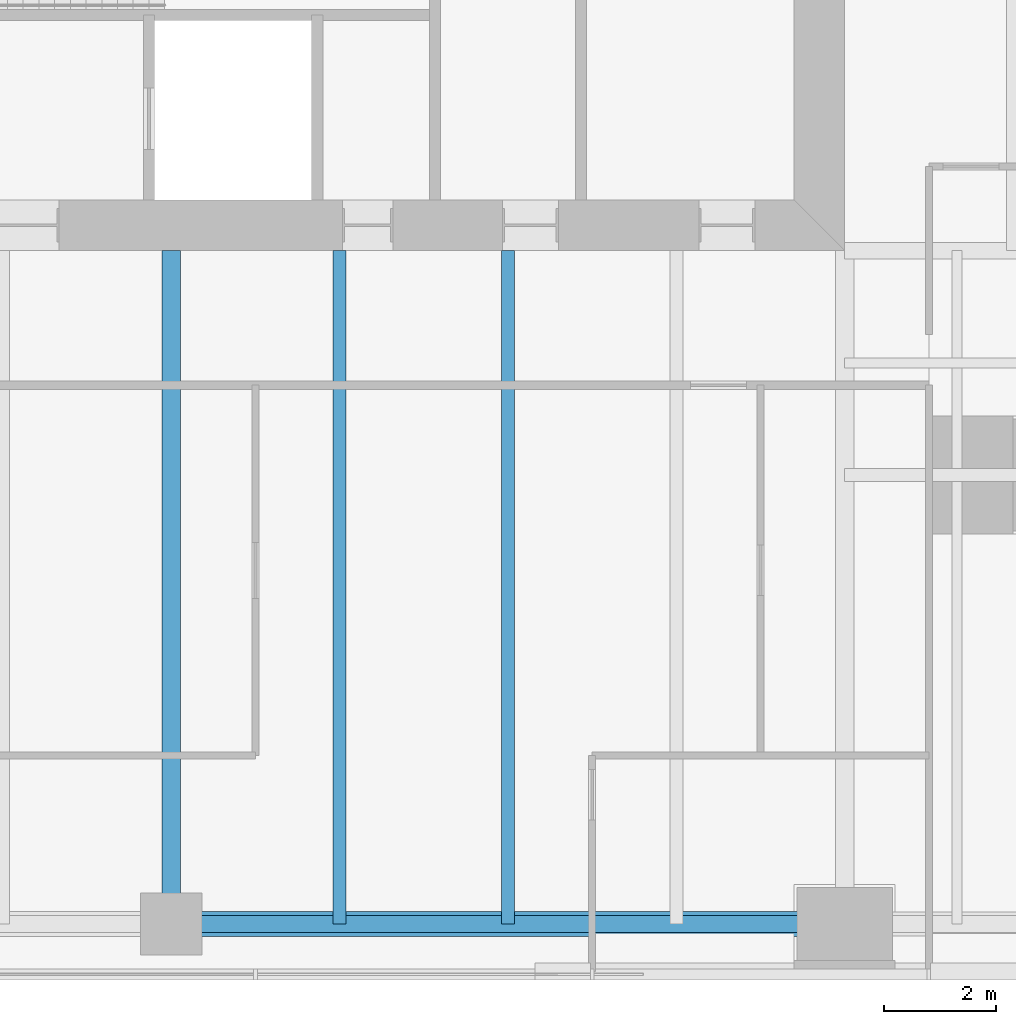
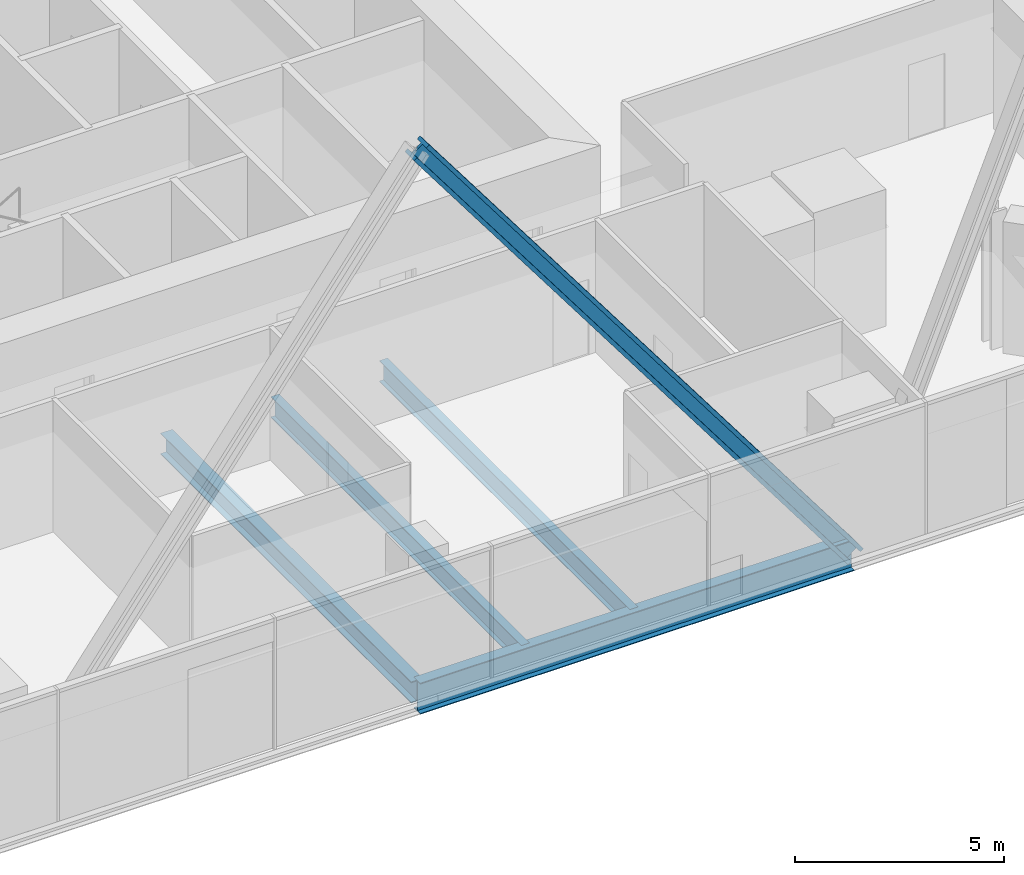
# One storey, part 3 of 13: 4 beams, 1 member.
"""IFC4 building model written with IfcOpenShell, lengths in metres."""

import ifcopenshell
import ifcopenshell.guid

model = None  # the IFC model being written
_history = None  # IfcOwnerHistory: only IFC2X3 demands one
_inside = {}  # id of a spatial element -> (the spatial element, [elements in it])
_under = {}  # id of a project, library or spatial element -> (it, [spatial elements below it])
_declared = {}  # id of a project -> (the project, [libraries it declares])
_typed = {}  # id of a type object -> (the type object, [elements of that type])
_made_of = {}  # id of a material, layer set ... -> (it, [elements and type objects made of it])


def new_model(schema):
    """Start an empty IFC model of exactly this schema.

    Asked for "IFC4X3", IfcOpenShell would pick the latest addendum, in which some entities
    have other attributes; the version numbers below select the first issue.
    IFC2X3 requires an IfcOwnerHistory on every rooted entity: one is made here for all.
    """
    global model, _history
    if schema == "IFC4X3":
        model = ifcopenshell.file(schema_version=(4, 3, 0, 0))
    else:
        model = ifcopenshell.file(schema=schema)
    _inside.clear()
    _under.clear()
    _declared.clear()
    _typed.clear()
    _made_of.clear()
    _history = None
    if model.schema == "IFC2X3":
        org = make("IfcOrganization", Name="unknown")
        user = make(
            "IfcPersonAndOrganization",
            ThePerson=make("IfcPerson", FamilyName="unknown"),
            TheOrganization=org,
        )
        app = make(
            "IfcApplication",
            ApplicationDeveloper=org,
            Version="unknown",
            ApplicationFullName="unknown",
            ApplicationIdentifier="unknown",
        )
        _history = make(
            "IfcOwnerHistory",
            OwningUser=user,
            OwningApplication=app,
            ChangeAction="ADDED",
            CreationDate=0,
        )
    return model


def make(cls, **values):
    """One entity of the class cls with the attributes given. An attribute that is None is left unset."""
    return model.create_entity(
        cls, **{name: value for name, value in values.items() if value is not None}
    )


def rooted(cls, **values):
    """An entity with a GlobalId (a new one), such as an element, a storey or a relation."""
    return make(cls, GlobalId=ifcopenshell.guid.new(), OwnerHistory=_history, **values)


def si_unit(unit_type, name, prefix=None):
    """IfcSIUnit, for example si_unit("LENGTHUNIT", "METRE", prefix="MILLI")."""
    return make("IfcSIUnit", UnitType=unit_type, Prefix=prefix, Name=name)


def assignment(units):
    """IfcUnitAssignment: the units of a project."""
    return None if units is None else make("IfcUnitAssignment", Units=units)


def point(xyz):
    """IfcCartesianPoint."""
    return None if xyz is None else make("IfcCartesianPoint", Coordinates=xyz)


def direction(xyz):
    """IfcDirection."""
    return None if xyz is None else make("IfcDirection", DirectionRatios=xyz)


def frame(location, z_axis=None, x_axis=None):
    """IfcAxis2Placement3D, a coordinate frame: its origin and axes. An axis left out is left unset."""
    return make(
        "IfcAxis2Placement3D",
        Location=point(location),
        Axis=direction(z_axis),
        RefDirection=direction(x_axis),
    )


def frame_2d(location, x_axis=None):
    """IfcAxis2Placement2D, a coordinate frame in the plane: its origin and x axis."""
    return make(
        "IfcAxis2Placement2D", Location=point(location), RefDirection=direction(x_axis)
    )


def origin():
    """The frame at (0, 0, 0) with its axes left unset."""
    return frame((0.0, 0.0, 0.0))


def origin_2d():
    """The frame at (0, 0) in the plane with its x axis left unset."""
    return frame_2d((0.0, 0.0))


def place(relative_to, where):
    """IfcLocalPlacement: puts the frame where relative to a parent placement (None: the world)."""
    return make(
        "IfcLocalPlacement", PlacementRelTo=relative_to, RelativePlacement=where
    )


def context(
    kind, dimensions, precision=None, world=None, true_north=None, identifier=None
):
    """IfcGeometricRepresentationContext, for example the 3D "Model" context."""
    return make(
        "IfcGeometricRepresentationContext",
        ContextIdentifier=identifier,
        ContextType=kind,
        CoordinateSpaceDimension=dimensions,
        Precision=precision,
        WorldCoordinateSystem=world,
        TrueNorth=true_north,
    )


def subcontext(parent, identifier, kind, view, scale=None):
    """IfcGeometricRepresentationSubContext, for example "Body" below "Model"."""
    return make(
        "IfcGeometricRepresentationSubContext",
        ContextIdentifier=identifier,
        ContextType=kind,
        ParentContext=parent,
        TargetScale=scale,
        TargetView=view,
    )


def project(units=None, contexts=None):
    """IfcProject with its units and contexts."""
    return rooted(
        "IfcProject",
        Name="project",
        RepresentationContexts=contexts,
        UnitsInContext=assignment(units),
    )


def spatial(cls, under=None, at=None, **own):
    """A site, building, storey or space (cls), placed at a placement, below another one or the project."""
    s = rooted(cls, ObjectPlacement=at, **own)
    if under is not None:
        _under.setdefault(under.id(), (under, []))[1].append(s)
    return s


def profile(cls, at=None, kind="AREA", **sizes):
    """A parametric profile (cls). Its sizes go by their IFC names, for example OverallWidth=200.0."""
    return make(cls, ProfileType=kind, Position=at, **sizes)


def i_section(**sizes):
    """IfcIShapeProfileDef."""
    return profile("IfcIShapeProfileDef", **sizes)


def extrude(swept, where, along, depth):
    """IfcExtrudedAreaSolid: the profile swept, set in the frame where, extruded along a direction by depth."""
    return make(
        "IfcExtrudedAreaSolid",
        SweptArea=swept,
        Position=where,
        ExtrudedDirection=direction(along),
        Depth=depth,
    )


def shape(context_of_items, identifier, shape_type, items):
    """IfcShapeRepresentation: the items that make up one representation, for example the "Body"."""
    return make(
        "IfcShapeRepresentation",
        ContextOfItems=context_of_items,
        RepresentationIdentifier=identifier,
        RepresentationType=shape_type,
        Items=items,
    )


def material(Name=None, Category=None):
    """IfcMaterial."""
    return make("IfcMaterial", Name=Name, Category=Category)


def material_profile(
    of_material, cross_section, Name=None, Category=None, Priority=None
):
    """IfcMaterialProfile: a cross section and its material."""
    return make(
        "IfcMaterialProfile",
        Name=Name,
        Material=of_material,
        Profile=cross_section,
        Priority=Priority,
        Category=Category,
    )


def profile_set(profiles, Name=None, composite=None):
    """IfcMaterialProfileSet."""
    return make(
        "IfcMaterialProfileSet",
        Name=Name,
        MaterialProfiles=profiles,
        CompositeProfile=composite,
    )


def made_of(thing, what):
    """Note that an element or type object is made of a material, layer set ...; save() writes the relation."""
    if what is not None:
        _made_of.setdefault(what.id(), (what, []))[1].append(thing)
    return thing


def type_object(cls, material=None, **own):
    """A type object (cls), such as IfcWallType, which elements share."""
    return made_of(rooted(cls, **own), material)


def element(
    cls,
    number,
    at=None,
    inside=None,
    cuts=None,
    type_object=None,
    material=None,
    context=None,
    identifier="Body",
    shape_type=None,
    held_by="IfcProductDefinitionShape",
    body=None,
    shapes=None,
    **own,
):
    """One element of the class cls, such as IfcWall. Its Tag is "e" and its number.

    at: its placement. inside: the storey or other place that contains it. cuts: it is an
    opening in that element (IfcRelVoidsElement). A single representation is given by context,
    identifier, shape_type and body (its items); several are given by shapes. held_by: the class
    of the entity that holds the representations. save() writes the other relations.
    """
    e = rooted(cls, Tag="e%d" % number, ObjectPlacement=at, **own)
    if body is not None:
        shapes = [shape(context, identifier, shape_type, body)]
    if shapes is not None:
        e.Representation = make(held_by, Representations=shapes)
    if inside is not None:
        _inside.setdefault(inside.id(), (inside, []))[1].append(e)
    if cuts is not None:
        rooted(
            "IfcRelVoidsElement", RelatingBuildingElement=cuts, RelatedOpeningElement=e
        )
    if type_object is not None:
        _typed.setdefault(type_object.id(), (type_object, []))[1].append(e)
    return made_of(e, material)


def aggregate(whole, parts):
    """IfcRelAggregates: a whole, such as a stair, and the parts it consists of."""
    return rooted("IfcRelAggregates", RelatingObject=whole, RelatedObjects=parts)


def save(model, path):
    """Write the relations noted so far, then the file.

    IfcRelAggregates (storeys below a building ...), IfcRelContainedInSpatialStructure (elements
    in a storey), IfcRelDefinesByType, IfcRelAssociatesMaterial and IfcRelDeclares: one each for
    every whole, place, type object, material and project.
    """
    for whole, parts in _under.values():
        aggregate(whole, parts)
    for where, things in _inside.values():
        rooted(
            "IfcRelContainedInSpatialStructure",
            RelatedElements=things,
            RelatingStructure=where,
        )
    for kind, things in _typed.values():
        rooted("IfcRelDefinesByType", RelatedObjects=things, RelatingType=kind)
    for what, things in _made_of.values():
        rooted("IfcRelAssociatesMaterial", RelatedObjects=things, RelatingMaterial=what)
    for by, libraries in _declared.values():
        rooted("IfcRelDeclares", RelatingContext=by, RelatedDefinitions=libraries)
    model.write(path)


model = new_model("IFC4")

# Units and contexts
model_context = context("Model", 3, precision=1e-05, world=origin(), true_north=direction((0.0, 1.0)))
body_context = subcontext(model_context, "Body", "Model", "MODEL_VIEW")
ifc_project = project(units=[si_unit("LENGTHUNIT", "METRE"), si_unit("AREAUNIT", "SQUARE_METRE"), si_unit("VOLUMEUNIT", "CUBIC_METRE"), si_unit("PLANEANGLEUNIT", "RADIAN"), si_unit("MASSUNIT", "GRAM", prefix="KILO")], contexts=[model_context])

# Site, building, storey
site_placement = place(None, origin())
site = spatial("IfcSite", under=ifc_project, at=site_placement, CompositionType="ELEMENT")
building_placement = place(site_placement, origin())
building = spatial("IfcBuilding", under=site, at=building_placement, Name="Fenwick Lantern Interchange", CompositionType="ELEMENT")
storey_placement = place(building_placement, frame((0.0, 0.0, 201.800048828125)))
storey = spatial("IfcBuildingStorey", under=building, at=storey_placement, Name="L47", CompositionType="ELEMENT", Elevation=201.800048828125)

# Beam
ifc_material = material(Name="Steel ASTM A992 Grade 50", Category="steel")
ifc_material_profile_1 = material_profile(ifc_material, i_section(OverallWidth=0.3046875, OverallDepth=0.911865234375, WebThickness=0.015869140625, FlangeThickness=0.02392578125, at=origin_2d()), Name="W36X150")
ifc_profile_set_1 = profile_set([ifc_material_profile_1], Name="Steel ASTM A992 Grade 50")
beam_type_1 = type_object("IfcBeamType", Name="EDGE BEAM W36X150", PredefinedType="SPANDREL", material=ifc_profile_set_1)
beam_1_placement = place(storey_placement, frame((25.0, 1.0, -0.60595703125), z_axis=(1.0, 0.0, 0.0), x_axis=(0.0, 1.0, 0.0)))
element("IfcBeam", 1, at=beam_1_placement, inside=storey, type_object=beam_type_1, Name="L47/FR/S/EB3", PredefinedType="SPANDREL", context=body_context, shape_type="SweptSolid", body=[
    extrude(i_section(OverallWidth=0.3046875, OverallDepth=0.911865234375, WebThickness=0.015869140625, FlangeThickness=0.02392578125, at=origin_2d()), origin(), (0.0, 0.0, 1.0), 12.0),
])

# Member
ifc_material_profile_2 = material_profile(ifc_material, i_section(OverallWidth=0.44189453125, OverallDepth=0.53076171875, WebThickness=0.06591796875, FlangeThickness=0.105712890625, at=origin_2d()), Name="W14X605")
ifc_profile_set_2 = profile_set([ifc_material_profile_2], Name="Steel ASTM A992 Grade 50")
member_type = type_object("IfcMemberType", Name="FACADE BRACE W14X605", PredefinedType="BRACE", material=ifc_profile_set_2)
member_placement = place(storey_placement, frame((37.0, 1.0, -0.60595703125), z_axis=(-0.6, 0.0, 0.8), x_axis=(0.0, -1.0, 0.0)))
element("IfcMember", 2, at=member_placement, inside=storey, type_object=member_type, Name="L47/FB/S/B", PredefinedType="BRACE", context=body_context, shape_type="SweptSolid", body=[
    extrude(i_section(OverallWidth=0.44189453125, OverallDepth=0.53076171875, WebThickness=0.06591796875, FlangeThickness=0.105712890625, at=origin_2d()), origin(), (0.0, 0.0, 1.0), 20.0),
])

# Beams
ifc_material_profile_3 = material_profile(ifc_material, i_section(OverallWidth=0.22900390625, OverallDepth=0.612060546875, WebThickness=0.011962890625, FlangeThickness=0.01953125, at=origin_2d()), Name="W24X84")
ifc_profile_set_3 = profile_set([ifc_material_profile_3], Name="Steel ASTM A992 Grade 50")
beam_type_2 = type_object("IfcBeamType", Name="FLOOR BEAM W24X84", PredefinedType="BEAM", material=ifc_profile_set_3)
for number, where, z_axis, x_axis, name in (
    (3, (28.0, 1.0, -0.4560546875), (0.0, 1.0, 0.0), (-1.0, 0.0, 0.0), "L47/FR/S/R06"),
    (4, (31.0, 1.0, -0.4560546875), (0.0, 1.0, 0.0), (-1.0, 0.0, 0.0), "L47/FR/S/R07"),
):
    element("IfcBeam", number, at=place(storey_placement, frame(where, z_axis=z_axis, x_axis=x_axis)), inside=storey, type_object=beam_type_2, Name=name, PredefinedType="BEAM", context=body_context, shape_type="SweptSolid", body=[
        extrude(i_section(OverallWidth=0.22900390625, OverallDepth=0.612060546875, WebThickness=0.011962890625, FlangeThickness=0.01953125, at=origin_2d()), origin(), (0.0, 0.0, 1.0), 12.0),
    ])
ifc_material_profile_4 = material_profile(ifc_material, i_section(OverallWidth=0.32763671875, OverallDepth=0.622314453125, WebThickness=0.015380859375, FlangeThickness=0.0244140625, at=origin_2d()), Name="W24X131")
ifc_profile_set_4 = profile_set([ifc_material_profile_4], Name="Steel ASTM A992 Grade 50")
beam_type_3 = type_object("IfcBeamType", Name="MOMENT-CONNECTED GIRDER W24X131", PredefinedType="BEAM", material=ifc_profile_set_4)
beam_2_placement = place(storey_placement, frame((25.0, 1.0, -0.461181640625), z_axis=(0.0, 1.0, 0.0), x_axis=(-1.0, 0.0, 0.0)))
element("IfcBeam", 5, at=beam_2_placement, inside=storey, type_object=beam_type_3, Name="L47/FR/S/R05", PredefinedType="BEAM", context=body_context, shape_type="SweptSolid", body=[
    extrude(i_section(OverallWidth=0.32763671875, OverallDepth=0.622314453125, WebThickness=0.015380859375, FlangeThickness=0.0244140625, at=origin_2d()), origin(), (0.0, 0.0, 1.0), 12.0),
])

save(model, "model.ifc")
